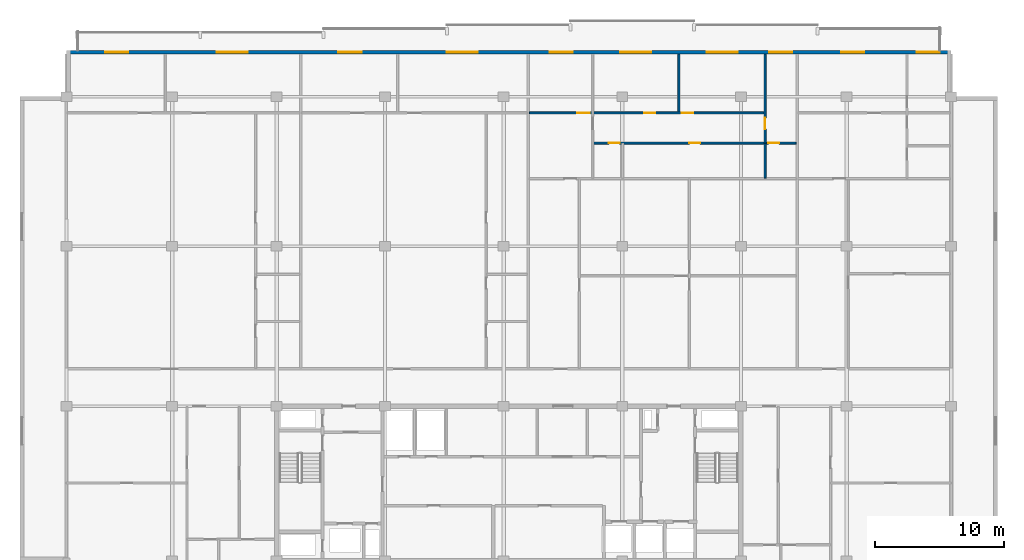
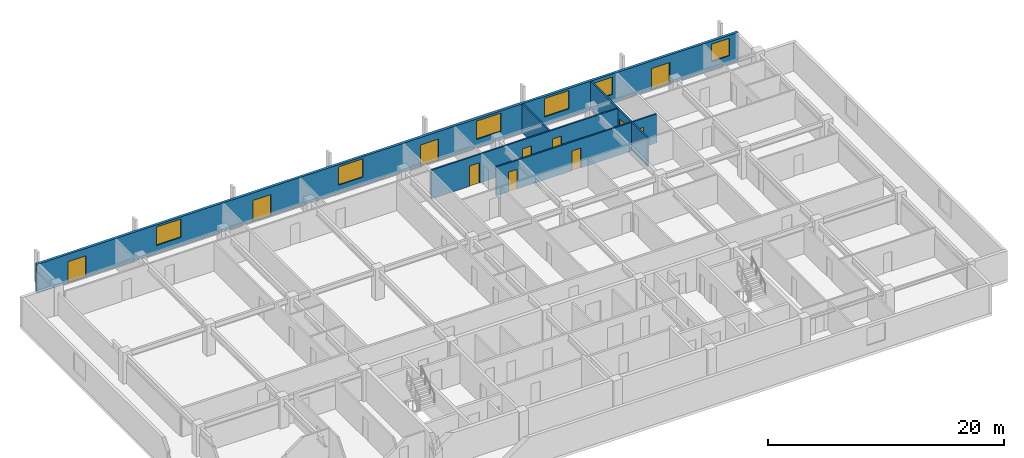
# One storey, part 15 of 22: 11 doors, 6 walls, 6 windows, 17 openings.
"""IFC4 building model written with IfcOpenShell, lengths in metres."""

from ifc_helpers import new_model, si_unit, direction, frame, frame_2d, origin, place, context, subcontext, project, spatial, rectangle, extrude, material, layer, layer_set, type_object, element, fill, save


model = new_model("IFC4")

# Units and contexts
model_context = context("Model", 3, precision=1e-05, world=origin(), true_north=direction((0.0, 1.0)))
body_context = subcontext(model_context, "Body", "Model", "MODEL_VIEW")
ifc_project = project(units=[si_unit("LENGTHUNIT", "METRE"), si_unit("AREAUNIT", "SQUARE_METRE"), si_unit("VOLUMEUNIT", "CUBIC_METRE"), si_unit("PLANEANGLEUNIT", "RADIAN"), si_unit("MASSUNIT", "GRAM", prefix="KILO")], contexts=[model_context])

# Site, building, storey
site_placement = place(None, origin())
site = spatial("IfcSite", under=ifc_project, at=site_placement, CompositionType="ELEMENT")
building_placement = place(site_placement, origin())
building = spatial("IfcBuilding", under=site, at=building_placement, Name="Korimba Cascade Residences", CompositionType="ELEMENT")
storey_placement = place(building_placement, frame((0.0, 0.0, 197.85009765625)))
storey = spatial("IfcBuildingStorey", under=building, at=storey_placement, Name="L57", CompositionType="ELEMENT", Elevation=197.85009765625)

# Wall, openings, doors, windows
ifc_material_1 = material(Name="Precast concrete C40/50", Category="concrete")
ifc_layer_1 = layer(ifc_material_1, 0.25)
ifc_layer_set_1 = layer_set([ifc_layer_1], Name="Precast concrete C40/50")
wall_type_1 = type_object("IfcWallType", Name="EW-LOG-250", PredefinedType="STANDARD", material=ifc_layer_set_1)
wall_1_placement = place(storey_placement, frame((128.39990234375, 94.64990234375, 0.0), z_axis=(0.0, 0.0, 1.0), x_axis=(-1.0, 0.0, 0.0)))
wall_1 = element("IfcWall", 1, at=wall_1_placement, inside=storey, type_object=wall_type_1, Name="L57 T1 Perimeter Stone Wall E06", PredefinedType="STANDARD", context=body_context, shape_type="SweptSolid", body=[
    extrude(rectangle(XDim=68.599853515625, YDim=0.25, at=frame_2d((34.2998046875, 0.0))), origin(), (0.0, 0.0, 1.0), 2.969970703125),
])
opening_1_placement = place(wall_1_placement, frame((63.807861328125, 0.0, 0.0)))
opening_1 = element("IfcOpeningElement", 2, at=opening_1_placement, cuts=wall_1, Name="Opening D-LG1", PredefinedType="OPENING", context=body_context, shape_type="SweptSolid", body=[
    extrude(rectangle(XDim=1.800048828125, YDim=2.199951171875, at=frame_2d((0.89990234375, 1.10009765625))), frame((0.0, 0.135009765625, 0.0), z_axis=(0.0, -1.0, 0.0), x_axis=(1.0, 0.0, 0.0)), (0.0, 0.0, 1.0), 0.27001953125),
])
opening_2_placement = place(wall_1_placement, frame((54.5439453125, 0.0, 0.85009765625)))
opening_2 = element("IfcOpeningElement", 3, at=opening_2_placement, cuts=wall_1, Name="Opening W-01", PredefinedType="OPENING", context=body_context, shape_type="SweptSolid", body=[
    extrude(rectangle(XDim=2.39990234375, YDim=1.89990234375, at=frame_2d((1.199951171875, 0.949951171875))), frame((0.0, 0.135009765625, 0.0), z_axis=(0.0, -1.0, 0.0), x_axis=(1.0, 0.0, 0.0)), (0.0, 0.0, 1.0), 0.27001953125),
])
opening_3_placement = place(wall_1_placement, frame((45.71337890625, 0.0, 0.0)))
opening_3 = element("IfcOpeningElement", 4, at=opening_3_placement, cuts=wall_1, Name="Opening D-LG1", PredefinedType="OPENING", context=body_context, shape_type="SweptSolid", body=[
    extrude(rectangle(XDim=1.800048828125, YDim=2.199951171875, at=frame_2d((0.89990234375, 1.10009765625))), frame((0.0, 0.135009765625, 0.0), z_axis=(0.0, -1.0, 0.0), x_axis=(1.0, 0.0, 0.0)), (0.0, 0.0, 1.0), 0.27001953125),
])
opening_4_placement = place(wall_1_placement, frame((36.7119140625, 0.0, 0.85009765625)))
opening_4 = element("IfcOpeningElement", 5, at=opening_4_placement, cuts=wall_1, Name="Opening W-01", PredefinedType="OPENING", context=body_context, shape_type="SweptSolid", body=[
    extrude(rectangle(XDim=2.39990234375, YDim=1.89990234375, at=frame_2d((1.199951171875, 0.949951171875))), frame((0.0, 0.135009765625, 0.0), z_axis=(0.0, -1.0, 0.0), x_axis=(1.0, 0.0, 0.0)), (0.0, 0.0, 1.0), 0.27001953125),
])
opening_5_placement = place(wall_1_placement, frame((23.246337890625, 0.0, 0.85009765625)))
opening_5 = element("IfcOpeningElement", 6, at=opening_5_placement, cuts=wall_1, Name="Opening W-01", PredefinedType="OPENING", context=body_context, shape_type="SweptSolid", body=[
    extrude(rectangle(XDim=2.39990234375, YDim=1.89990234375, at=frame_2d((1.199951171875, 0.949951171875))), frame((0.0, 0.135009765625, 0.0), z_axis=(0.0, -1.0, 0.0), x_axis=(1.0, 0.0, 0.0)), (0.0, 0.0, 1.0), 0.27001953125),
])
opening_6_placement = place(wall_1_placement, frame((16.56201171875, 0.0, 0.85009765625)))
opening_6 = element("IfcOpeningElement", 7, at=opening_6_placement, cuts=wall_1, Name="Opening W-01", PredefinedType="OPENING", context=body_context, shape_type="SweptSolid", body=[
    extrude(rectangle(XDim=2.39990234375, YDim=1.89990234375, at=frame_2d((1.199951171875, 0.949951171875))), frame((0.0, 0.135009765625, 0.0), z_axis=(0.0, -1.0, 0.0), x_axis=(1.0, 0.0, 0.0)), (0.0, 0.0, 1.0), 0.27001953125),
])
opening_7_placement = place(wall_1_placement, frame((29.32861328125, 0.0, 0.0)))
opening_7 = element("IfcOpeningElement", 8, at=opening_7_placement, cuts=wall_1, Name="Opening D-LG1", PredefinedType="OPENING", context=body_context, shape_type="SweptSolid", body=[
    extrude(rectangle(XDim=1.800048828125, YDim=2.199951171875, at=frame_2d((0.89990234375, 1.10009765625))), frame((0.0, 0.135009765625, 0.0), z_axis=(0.0, -1.0, 0.0), x_axis=(1.0, 0.0, 0.0)), (0.0, 0.0, 1.0), 0.27001953125),
])
opening_8_placement = place(wall_1_placement, frame((12.31884765625, 0.0, 0.85009765625)))
opening_8 = element("IfcOpeningElement", 9, at=opening_8_placement, cuts=wall_1, Name="Opening W-02", PredefinedType="OPENING", context=body_context, shape_type="SweptSolid", body=[
    extrude(rectangle(XDim=1.800048828125, YDim=1.800048828125, at=frame_2d((0.89990234375, 0.89990234375))), frame((0.0, 0.135009765625, 0.0), z_axis=(0.0, -1.0, 0.0), x_axis=(1.0, 0.0, 0.0)), (0.0, 0.0, 1.0), 0.27001953125),
])
opening_9_placement = place(wall_1_placement, frame((6.723876953125, 0.0, 0.0)))
opening_9 = element("IfcOpeningElement", 10, at=opening_9_placement, cuts=wall_1, Name="Opening D-LG1", PredefinedType="OPENING", context=body_context, shape_type="SweptSolid", body=[
    extrude(rectangle(XDim=1.800048828125, YDim=2.199951171875, at=frame_2d((0.89990234375, 1.10009765625))), frame((0.0, 0.135009765625, 0.0), z_axis=(0.0, -1.0, 0.0), x_axis=(1.0, 0.0, 0.0)), (0.0, 0.0, 1.0), 0.27001953125),
])
opening_10_placement = place(wall_1_placement, frame((0.8701171875, 0.0, 0.85009765625)))
opening_10 = element("IfcOpeningElement", 11, at=opening_10_placement, cuts=wall_1, Name="Opening W-02", PredefinedType="OPENING", context=body_context, shape_type="SweptSolid", body=[
    extrude(rectangle(XDim=1.800048828125, YDim=1.800048828125, at=frame_2d((0.89990234375, 0.89990234375))), frame((0.0, 0.135009765625, 0.0), z_axis=(0.0, -1.0, 0.0), x_axis=(1.0, 0.0, 0.0)), (0.0, 0.0, 1.0), 0.27001953125),
])
ifc_material_2 = material(Name="Glazed Aluminium Loggia Sliding Door", Category="aluminium")
door_type_1 = type_object("IfcDoorType", Name="DR-EXT-LOG", OperationType="NOTDEFINED", PredefinedType="DOOR", material=ifc_material_2)
door_1_placement = place(opening_1_placement, origin())
door_1 = element("IfcDoor", 12, at=door_1_placement, inside=storey, type_object=door_type_1, Name="L57 T1 Loggia Sliding Door 3", OperationType="SLIDING_TO_LEFT", OverallHeight=2.199951171875, OverallWidth=1.800048828125, PredefinedType="DOOR", context=body_context, shape_type="SweptSolid", body=[
    extrude(rectangle(XDim=1.800048828125, YDim=2.199951171875, at=frame_2d((0.89990234375, 1.10009765625))), frame((0.0, 0.02490234375, 0.0), z_axis=(0.0, -1.0, 0.0), x_axis=(1.0, 0.0, 0.0)), (0.0, 0.0, 1.0), 0.050048828125),
])
fill(opening_1, door_1)
door_2_placement = place(opening_3_placement, origin())
door_2 = element("IfcDoor", 13, at=door_2_placement, inside=storey, type_object=door_type_1, Name="L57 T1 Loggia Sliding Door 5", OperationType="SLIDING_TO_LEFT", OverallHeight=2.199951171875, OverallWidth=1.800048828125, PredefinedType="DOOR", context=body_context, shape_type="SweptSolid", body=[
    extrude(rectangle(XDim=1.800048828125, YDim=2.199951171875, at=frame_2d((0.89990234375, 1.10009765625))), frame((0.0, 0.02490234375, 0.0), z_axis=(0.0, -1.0, 0.0), x_axis=(1.0, 0.0, 0.0)), (0.0, 0.0, 1.0), 0.050048828125),
])
fill(opening_3, door_2)
door_3_placement = place(opening_7_placement, origin())
door_3 = element("IfcDoor", 14, at=door_3_placement, inside=storey, type_object=door_type_1, Name="L57 T1 Loggia Sliding Door 9", OperationType="SLIDING_TO_LEFT", OverallHeight=2.199951171875, OverallWidth=1.800048828125, PredefinedType="DOOR", context=body_context, shape_type="SweptSolid", body=[
    extrude(rectangle(XDim=1.800048828125, YDim=2.199951171875, at=frame_2d((0.89990234375, 1.10009765625))), frame((0.0, 0.02490234375, 0.0), z_axis=(0.0, -1.0, 0.0), x_axis=(1.0, 0.0, 0.0)), (0.0, 0.0, 1.0), 0.050048828125),
])
fill(opening_7, door_3)
door_4_placement = place(opening_9_placement, origin())
door_4 = element("IfcDoor", 15, at=door_4_placement, inside=storey, type_object=door_type_1, Name="L57 T1 Loggia Sliding Door 11", OperationType="SLIDING_TO_LEFT", OverallHeight=2.199951171875, OverallWidth=1.800048828125, PredefinedType="DOOR", context=body_context, shape_type="SweptSolid", body=[
    extrude(rectangle(XDim=1.800048828125, YDim=2.199951171875, at=frame_2d((0.89990234375, 1.10009765625))), frame((0.0, 0.02490234375, 0.0), z_axis=(0.0, -1.0, 0.0), x_axis=(1.0, 0.0, 0.0)), (0.0, 0.0, 1.0), 0.050048828125),
])
fill(opening_9, door_4)
ifc_material_3 = material(Name="Double-Glazed Aluminium Window", Category="aluminium")
window_type_1 = type_object("IfcWindowType", Name="WIN-BED-1800", PartitioningType="SINGLE_PANEL", PredefinedType="WINDOW", material=ifc_material_3)
window_1_placement = place(opening_8_placement, origin())
window_1 = element("IfcWindow", 16, at=window_1_placement, inside=storey, type_object=window_type_1, Name="L57 T1 North Facade Window 10", OverallHeight=1.800048828125, OverallWidth=1.800048828125, PartitioningType="SINGLE_PANEL", PredefinedType="WINDOW", context=body_context, shape_type="SweptSolid", body=[
    extrude(rectangle(XDim=1.800048828125, YDim=1.800048828125, at=frame_2d((0.89990234375, 0.89990234375))), frame((0.0, 0.030029296875, 0.0), z_axis=(0.0, -1.0, 0.0), x_axis=(1.0, 0.0, 0.0)), (0.0, 0.0, 1.0), 0.06005859375),
])
fill(opening_8, window_1)
window_2_placement = place(opening_10_placement, origin())
window_2 = element("IfcWindow", 17, at=window_2_placement, inside=storey, type_object=window_type_1, Name="L57 T1 North Facade Window 12", OverallHeight=1.800048828125, OverallWidth=1.800048828125, PartitioningType="SINGLE_PANEL", PredefinedType="WINDOW", context=body_context, shape_type="SweptSolid", body=[
    extrude(rectangle(XDim=1.800048828125, YDim=1.800048828125, at=frame_2d((0.89990234375, 0.89990234375))), frame((0.0, 0.030029296875, 0.0), z_axis=(0.0, -1.0, 0.0), x_axis=(1.0, 0.0, 0.0)), (0.0, 0.0, 1.0), 0.06005859375),
])
fill(opening_10, window_2)
window_type_2 = type_object("IfcWindowType", Name="WIN-RES-2400", PartitioningType="DOUBLE_PANEL_VERTICAL", PredefinedType="WINDOW", material=ifc_material_3)
window_3_placement = place(opening_2_placement, origin())
window_3 = element("IfcWindow", 18, at=window_3_placement, inside=storey, type_object=window_type_2, Name="L57 T1 North Facade Window 4", OverallHeight=1.89990234375, OverallWidth=2.39990234375, PartitioningType="DOUBLE_PANEL_VERTICAL", PredefinedType="WINDOW", context=body_context, shape_type="SweptSolid", body=[
    extrude(rectangle(XDim=2.39990234375, YDim=1.89990234375, at=frame_2d((1.199951171875, 0.949951171875))), frame((0.0, 0.030029296875, 0.0), z_axis=(0.0, -1.0, 0.0), x_axis=(1.0, 0.0, 0.0)), (0.0, 0.0, 1.0), 0.06005859375),
])
fill(opening_2, window_3)
window_4_placement = place(opening_4_placement, origin())
window_4 = element("IfcWindow", 19, at=window_4_placement, inside=storey, type_object=window_type_2, Name="L57 T1 North Facade Window 6", OverallHeight=1.89990234375, OverallWidth=2.39990234375, PartitioningType="DOUBLE_PANEL_VERTICAL", PredefinedType="WINDOW", context=body_context, shape_type="SweptSolid", body=[
    extrude(rectangle(XDim=2.39990234375, YDim=1.89990234375, at=frame_2d((1.199951171875, 0.949951171875))), frame((0.0, 0.030029296875, 0.0), z_axis=(0.0, -1.0, 0.0), x_axis=(1.0, 0.0, 0.0)), (0.0, 0.0, 1.0), 0.06005859375),
])
fill(opening_4, window_4)
window_5_placement = place(opening_5_placement, origin())
window_5 = element("IfcWindow", 20, at=window_5_placement, inside=storey, type_object=window_type_2, Name="L57 T1 North Facade Window 7", OverallHeight=1.89990234375, OverallWidth=2.39990234375, PartitioningType="DOUBLE_PANEL_VERTICAL", PredefinedType="WINDOW", context=body_context, shape_type="SweptSolid", body=[
    extrude(rectangle(XDim=2.39990234375, YDim=1.89990234375, at=frame_2d((1.199951171875, 0.949951171875))), frame((0.0, 0.030029296875, 0.0), z_axis=(0.0, -1.0, 0.0), x_axis=(1.0, 0.0, 0.0)), (0.0, 0.0, 1.0), 0.06005859375),
])
fill(opening_5, window_5)
window_6_placement = place(opening_6_placement, origin())
window_6 = element("IfcWindow", 21, at=window_6_placement, inside=storey, type_object=window_type_2, Name="L57 T1 North Facade Window 8", OverallHeight=1.89990234375, OverallWidth=2.39990234375, PartitioningType="DOUBLE_PANEL_VERTICAL", PredefinedType="WINDOW", context=body_context, shape_type="SweptSolid", body=[
    extrude(rectangle(XDim=2.39990234375, YDim=1.89990234375, at=frame_2d((1.199951171875, 0.949951171875))), frame((0.0, 0.030029296875, 0.0), z_axis=(0.0, -1.0, 0.0), x_axis=(1.0, 0.0, 0.0)), (0.0, 0.0, 1.0), 0.06005859375),
])
fill(opening_6, window_6)

# Walls
ifc_material_4 = material(Name="Insulated Acoustic Stud Partition", Category="gypsum")
ifc_layer_2 = layer(ifc_material_4, 0.14990234375)
ifc_layer_set_2 = layer_set([ifc_layer_2], Name="Insulated Acoustic Stud Partition")
wall_type_2 = type_object("IfcWallType", Name="WAL-PART-150", PredefinedType="PARTITIONING", material=ifc_layer_set_2)
wall_2_placement = place(storey_placement, frame((107.295654296875, 90.030029296875, 0.0), z_axis=(0.0, 0.0, 1.0), x_axis=(0.0, 1.0, 0.0)))
element("IfcWall", 22, at=wall_2_placement, inside=storey, type_object=wall_type_2, Name="L57 Partition Wall WAL-L57-T1-U03-VB3", PredefinedType="PARTITIONING", context=body_context, shape_type="SweptSolid", body=[
    extrude(rectangle(XDim=4.469970703125, YDim=0.14990234375, at=frame_2d((2.23486328125, 0.0))), origin(), (0.0, 0.0, 1.0), 2.969970703125),
])
wall_3_placement = place(storey_placement, frame((113.97998046875, 84.889892578125, 0.0), z_axis=(0.0, 0.0, 1.0), x_axis=(0.0, 1.0, 0.0)))
element("IfcWall", 23, at=wall_3_placement, inside=storey, type_object=wall_type_2, Name="L57 Partition Wall WAL-L57-T1-U03-VBATH", PredefinedType="PARTITIONING", context=body_context, shape_type="SweptSolid", body=[
    extrude(rectangle(XDim=2.690185546875, YDim=0.14990234375, at=frame_2d((1.34521484375, 0.0))), origin(), (0.0, 0.0, 1.0), 2.969970703125),
])

# Wall, opening, door
wall_4_placement = place(storey_placement, frame((113.97998046875, 87.6201171875, 0.0), z_axis=(0.0, 0.0, 1.0), x_axis=(0.0, 1.0, 0.0)))
wall_4 = element("IfcWall", 24, at=wall_4_placement, inside=storey, type_object=wall_type_2, Name="L57 Partition Wall WAL-L57-T1-U03-V2FULL", PredefinedType="PARTITIONING", context=body_context, shape_type="SweptSolid", body=[
    extrude(rectangle(XDim=6.8798828125, YDim=0.14990234375, at=frame_2d((3.43994140625, 0.0))), origin(), (0.0, 0.0, 1.0), 2.969970703125),
])
opening_11_placement = place(wall_4_placement, frame((1.040283203125, 0.0, 0.0)))
opening_11 = element("IfcOpeningElement", 25, at=opening_11_placement, cuts=wall_4, Name="Opening D-IN1", PredefinedType="OPENING", context=body_context, shape_type="SweptSolid", body=[
    extrude(rectangle(XDim=0.919921875, YDim=2.080078125, at=frame_2d((0.4599609375, 1.0400390625))), frame((0.0, 0.0849609375, 0.0), z_axis=(0.0, -1.0, 0.0), x_axis=(1.0, 0.0, 0.0)), (0.0, 0.0, 1.0), 0.169921875),
])
ifc_material_5 = material(Name="Acoustic Timber Living Door", Category="wood")
door_type_2 = type_object("IfcDoorType", Name="DR-INT-920", OperationType="NOTDEFINED", PredefinedType="DOOR", material=ifc_material_5)
door_5_placement = place(opening_11_placement, origin())
door_5 = element("IfcDoor", 26, at=door_5_placement, inside=storey, type_object=door_type_2, Name="L57-T1-U03 Master Bedroom Door", OperationType="SINGLE_SWING_LEFT", OverallHeight=2.080078125, OverallWidth=0.919921875, PredefinedType="DOOR", context=body_context, shape_type="SweptSolid", body=[
    extrude(rectangle(XDim=0.919921875, YDim=2.080078125, at=frame_2d((0.4599609375, 1.0400390625))), frame((0.0, 0.02490234375, 0.0), z_axis=(0.0, -1.0, 0.0), x_axis=(1.0, 0.0, 0.0)), (0.0, 0.0, 1.0), 0.050048828125),
])
fill(opening_11, door_5)

# Wall, openings, doors
wall_5_placement = place(storey_placement, frame((100.6513671875, 87.60009765625, 0.0), z_axis=(0.0, 0.0, 1.0), x_axis=(1.0, 0.0, 0.0)))
wall_5 = element("IfcWall", 27, at=wall_5_placement, inside=storey, type_object=wall_type_2, Name="L57 Partition Wall WAL-L57-T1-U03-HWALL", PredefinedType="PARTITIONING", context=body_context, shape_type="SweptSolid", body=[
    extrude(rectangle(XDim=15.720947265625, YDim=0.14990234375, at=frame_2d((7.8603515625, 0.0))), origin(), (0.0, 0.0, 1.0), 2.969970703125),
])
opening_12_placement = place(wall_5_placement, frame((1.2099609375, 0.0, 0.0)))
opening_12 = element("IfcOpeningElement", 28, at=opening_12_placement, cuts=wall_5, Name="Opening D-BT1", PredefinedType="OPENING", context=body_context, shape_type="SweptSolid", body=[
    extrude(rectangle(XDim=0.840087890625, YDim=2.0400390625, at=frame_2d((0.419921875, 1.02001953125))), frame((0.0, 0.0849609375, 0.0), z_axis=(0.0, -1.0, 0.0), x_axis=(1.0, 0.0, 0.0)), (0.0, 0.0, 1.0), 0.169921875),
])
opening_13_placement = place(wall_5_placement, frame((7.4404296875, 0.0, 0.0)))
opening_13 = element("IfcOpeningElement", 29, at=opening_13_placement, cuts=wall_5, Name="Opening D-BT1", PredefinedType="OPENING", context=body_context, shape_type="SweptSolid", body=[
    extrude(rectangle(XDim=0.840087890625, YDim=2.0400390625, at=frame_2d((0.419921875, 1.02001953125))), frame((0.0, 0.0849609375, 0.0), z_axis=(0.0, -1.0, 0.0), x_axis=(1.0, 0.0, 0.0)), (0.0, 0.0, 1.0), 0.169921875),
])
opening_14_placement = place(wall_5_placement, frame((13.57861328125, 0.0, 0.0)))
opening_14 = element("IfcOpeningElement", 30, at=opening_14_placement, cuts=wall_5, Name="Opening D-BT1", PredefinedType="OPENING", context=body_context, shape_type="SweptSolid", body=[
    extrude(rectangle(XDim=0.840087890625, YDim=2.0400390625, at=frame_2d((0.419921875, 1.02001953125))), frame((0.0, 0.0849609375, 0.0), z_axis=(0.0, -1.0, 0.0), x_axis=(1.0, 0.0, 0.0)), (0.0, 0.0, 1.0), 0.169921875),
])
ifc_material_6 = material(Name="Moisture-Resistant Bathroom Timber Door", Category="wood")
door_type_3 = type_object("IfcDoorType", Name="DR-INT-850", OperationType="NOTDEFINED", PredefinedType="DOOR", material=ifc_material_6)
door_6_placement = place(opening_12_placement, origin())
door_6 = element("IfcDoor", 31, at=door_6_placement, inside=storey, type_object=door_type_3, Name="L57-T1-U03 Family Bathroom Door", OperationType="SINGLE_SWING_RIGHT", OverallHeight=2.0400390625, OverallWidth=0.840087890625, PredefinedType="DOOR", context=body_context, shape_type="SweptSolid", body=[
    extrude(rectangle(XDim=0.840087890625, YDim=2.0400390625, at=frame_2d((0.419921875, 1.02001953125))), frame((0.0, 0.02490234375, 0.0), z_axis=(0.0, -1.0, 0.0), x_axis=(1.0, 0.0, 0.0)), (0.0, 0.0, 1.0), 0.050048828125),
])
fill(opening_12, door_6)
door_7_placement = place(opening_13_placement, origin())
door_7 = element("IfcDoor", 32, at=door_7_placement, inside=storey, type_object=door_type_3, Name="L57-T1-U03 Dressing Room Door", OperationType="SINGLE_SWING_LEFT", OverallHeight=2.0400390625, OverallWidth=0.840087890625, PredefinedType="DOOR", context=body_context, shape_type="SweptSolid", body=[
    extrude(rectangle(XDim=0.840087890625, YDim=2.0400390625, at=frame_2d((0.419921875, 1.02001953125))), frame((0.0, 0.02490234375, 0.0), z_axis=(0.0, -1.0, 0.0), x_axis=(1.0, 0.0, 0.0)), (0.0, 0.0, 1.0), 0.050048828125),
])
fill(opening_13, door_7)
door_8_placement = place(opening_14_placement, origin())
door_8 = element("IfcDoor", 33, at=door_8_placement, inside=storey, type_object=door_type_3, Name="L57-T1-U03 En-Suite Door", OperationType="SINGLE_SWING_RIGHT", OverallHeight=2.0400390625, OverallWidth=0.840087890625, PredefinedType="DOOR", context=body_context, shape_type="SweptSolid", body=[
    extrude(rectangle(XDim=0.840087890625, YDim=2.0400390625, at=frame_2d((0.419921875, 1.02001953125))), frame((0.0, 0.02490234375, 0.0), z_axis=(0.0, -1.0, 0.0), x_axis=(1.0, 0.0, 0.0)), (0.0, 0.0, 1.0), 0.050048828125),
])
fill(opening_14, door_8)

wall_6_placement = place(storey_placement, frame((95.69140625, 89.949951171875, 0.0), z_axis=(0.0, 0.0, 1.0), x_axis=(1.0, 0.0, 0.0)))
wall_6 = element("IfcWall", 34, at=wall_6_placement, inside=storey, type_object=wall_type_2, Name="L57 Partition Wall WAL-L57-T1-U03-HZ", PredefinedType="PARTITIONING", context=body_context, shape_type="SweptSolid", body=[
    extrude(rectangle(XDim=18.28857421875, YDim=0.14990234375, at=frame_2d((9.144287109375, 0.0))), origin(), (0.0, 0.0, 1.0), 2.969970703125),
])
opening_15_placement = place(wall_6_placement, frame((3.72998046875, 0.0, 0.0)))
opening_15 = element("IfcOpeningElement", 35, at=opening_15_placement, cuts=wall_6, Name="Opening D-IN0", PredefinedType="OPENING", context=body_context, shape_type="SweptSolid", body=[
    extrude(rectangle(XDim=0.93994140625, YDim=2.10009765625, at=frame_2d((0.469970703125, 1.050048828125))), frame((0.0, 0.0849609375, 0.0), z_axis=(0.0, -1.0, 0.0), x_axis=(1.0, 0.0, 0.0)), (0.0, 0.0, 1.0), 0.169921875),
])
opening_16_placement = place(wall_6_placement, frame((8.89501953125, 0.0, 0.0)))
opening_16 = element("IfcOpeningElement", 36, at=opening_16_placement, cuts=wall_6, Name="Opening D-IN2", PredefinedType="OPENING", context=body_context, shape_type="SweptSolid", body=[
    extrude(rectangle(XDim=0.8798828125, YDim=2.06005859375, at=frame_2d((0.43994140625, 1.030029296875))), frame((0.0, 0.0849609375, 0.0), z_axis=(0.0, -1.0, 0.0), x_axis=(1.0, 0.0, 0.0)), (0.0, 0.0, 1.0), 0.169921875),
])
opening_17_placement = place(wall_6_placement, frame((11.82421875, 0.0, 0.0)))
opening_17 = element("IfcOpeningElement", 37, at=opening_17_placement, cuts=wall_6, Name="Opening D-IN2", PredefinedType="OPENING", context=body_context, shape_type="SweptSolid", body=[
    extrude(rectangle(XDim=0.8798828125, YDim=2.06005859375, at=frame_2d((0.43994140625, 1.030029296875))), frame((0.0, 0.0849609375, 0.0), z_axis=(0.0, -1.0, 0.0), x_axis=(1.0, 0.0, 0.0)), (0.0, 0.0, 1.0), 0.169921875),
])
ifc_material_7 = material(Name="Acoustic Timber Bedroom Door", Category="wood")
door_type_4 = type_object("IfcDoorType", Name="DR-INT-880", OperationType="NOTDEFINED", PredefinedType="DOOR", material=ifc_material_7)
door_9_placement = place(opening_16_placement, origin())
door_9 = element("IfcDoor", 38, at=door_9_placement, inside=storey, type_object=door_type_4, Name="L57-T1-U03 Bedroom 2 Door", OperationType="SINGLE_SWING_LEFT", OverallHeight=2.06005859375, OverallWidth=0.8798828125, PredefinedType="DOOR", context=body_context, shape_type="SweptSolid", body=[
    extrude(rectangle(XDim=0.8798828125, YDim=2.06005859375, at=frame_2d((0.43994140625, 1.030029296875))), frame((0.0, 0.02490234375, 0.0), z_axis=(0.0, -1.0, 0.0), x_axis=(1.0, 0.0, 0.0)), (0.0, 0.0, 1.0), 0.050048828125),
])
fill(opening_16, door_9)
door_10_placement = place(opening_17_placement, origin())
door_10 = element("IfcDoor", 39, at=door_10_placement, inside=storey, type_object=door_type_4, Name="L57-T1-U03 Bedroom 3 Door", OperationType="SINGLE_SWING_RIGHT", OverallHeight=2.06005859375, OverallWidth=0.8798828125, PredefinedType="DOOR", context=body_context, shape_type="SweptSolid", body=[
    extrude(rectangle(XDim=0.8798828125, YDim=2.06005859375, at=frame_2d((0.43994140625, 1.030029296875))), frame((0.0, 0.02490234375, 0.0), z_axis=(0.0, -1.0, 0.0), x_axis=(1.0, 0.0, 0.0)), (0.0, 0.0, 1.0), 0.050048828125),
])
fill(opening_17, door_10)
ifc_material_8 = material(Name="Acoustic Timber Living Archway Door", Category="wood")
door_type_5 = type_object("IfcDoorType", Name="DR-INT-950", OperationType="NOTDEFINED", PredefinedType="DOOR", material=ifc_material_8)
door_11_placement = place(opening_15_placement, origin())
door_11 = element("IfcDoor", 40, at=door_11_placement, inside=storey, type_object=door_type_5, Name="L57-T1-U03 Living Room Door", OperationType="SINGLE_SWING_RIGHT", OverallHeight=2.10009765625, OverallWidth=0.93994140625, PredefinedType="DOOR", context=body_context, shape_type="SweptSolid", body=[
    extrude(rectangle(XDim=0.93994140625, YDim=2.10009765625, at=frame_2d((0.469970703125, 1.050048828125))), frame((0.0, 0.02490234375, 0.0), z_axis=(0.0, -1.0, 0.0), x_axis=(1.0, 0.0, 0.0)), (0.0, 0.0, 1.0), 0.050048828125),
])
fill(opening_15, door_11)

save(model, "model.ifc")
